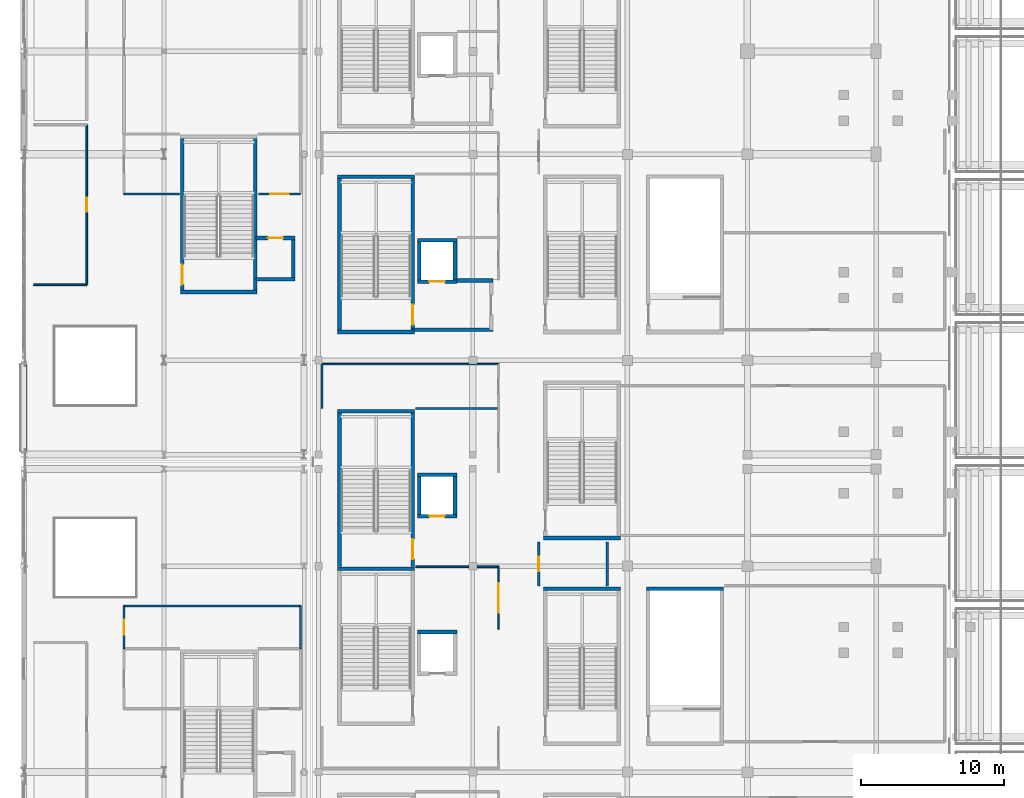
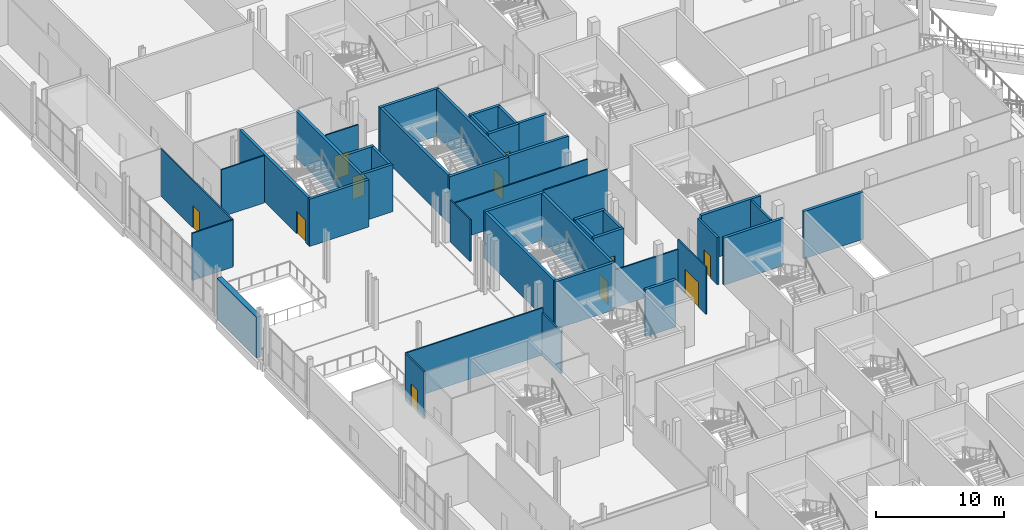
# One storey, part 74 of 129: 43 walls, 11 doors, 11 openings.
"""IFC4 building model written with IfcOpenShell, lengths in metres."""

from ifc_helpers import new_model, si_unit, direction, frame, frame_2d, origin, place, context, subcontext, project, spatial, rectangle, extrude, material, layer, layer_set, type_object, element, fill, save


model = new_model("IFC4")

# Units and contexts
model_context = context("Model", 3, precision=1e-05, world=origin(), true_north=direction((0.0, 1.0)))
body_context = subcontext(model_context, "Body", "Model", "MODEL_VIEW")
ifc_project = project(units=[si_unit("LENGTHUNIT", "METRE"), si_unit("AREAUNIT", "SQUARE_METRE"), si_unit("VOLUMEUNIT", "CUBIC_METRE"), si_unit("PLANEANGLEUNIT", "RADIAN"), si_unit("MASSUNIT", "GRAM", prefix="KILO")], contexts=[model_context])

# Site, building, storey
site_placement = place(None, origin())
site = spatial("IfcSite", under=ifc_project, at=site_placement, CompositionType="ELEMENT")
building_placement = place(site_placement, origin())
building = spatial("IfcBuilding", under=site, at=building_placement, Name="Koshinbarg Plaza Stadium", CompositionType="ELEMENT")
storey_placement = place(building_placement, frame((0.0, 0.0, 5.39990234375)))
storey = spatial("IfcBuildingStorey", under=building, at=storey_placement, Name="L01", CompositionType="ELEMENT", Elevation=5.39990234375)

# Walls
ifc_material_1 = material(Name="Concrete C40/50", Category="concrete")
ifc_layer_1 = layer(ifc_material_1, 0.25)
ifc_layer_set_1 = layer_set([ifc_layer_1], Name="Concrete C40/50")
wall_type_1 = type_object("IfcWallType", Name="WL-CORE-250", PredefinedType="SHEAR", material=ifc_layer_set_1)
for number, where, z_axis, x_axis, name in (
    (1, (31.320068359375, 68.52490234375, 0.0), (0.0, 0.0, 1.0), (-1.0, 0.0, 0.0), "L01 core stair shear wall C03-far IWL-L01-0062"),
    (2, (31.320068359375, 79.52490234375, 0.0), (0.0, 0.0, 1.0), (-1.0, 0.0, 0.0), "L01 core stair shear wall C04-far IWL-L01-0088"),
):
    element("IfcWall", number, at=place(storey_placement, frame(where, z_axis=z_axis, x_axis=x_axis)), inside=storey, type_object=wall_type_1, Name=name, PredefinedType="SHEAR", context=body_context, shape_type="SweptSolid", body=[
        extrude(rectangle(XDim=5.3701171875, YDim=0.25, at=frame_2d((2.68505859375, 0.0))), origin(), (0.0, 0.0, 1.0), 4.5),
    ])
wall_1_placement = place(storey_placement, frame((26.074951171875, 68.675048828125, 0.0), z_axis=(0.0, 0.0, 1.0), x_axis=(0.0, 1.0, 0.0)))
element("IfcWall", 3, at=wall_1_placement, inside=storey, type_object=wall_type_1, Name="L01 core stair shear wall C04-left IWL-L01-0089", PredefinedType="SHEAR", context=body_context, shape_type="SweptSolid", body=[
    extrude(rectangle(XDim=10.849853515625, YDim=0.25, at=frame_2d((5.4248046875, 0.0))), origin(), (0.0, 0.0, 1.0), 4.5),
])

# Wall, opening, door
wall_2_placement = place(storey_placement, frame((31.195068359375, 68.675048828125, 0.0), z_axis=(0.0, 0.0, 1.0), x_axis=(0.0, 1.0, 0.0)))
wall_2 = element("IfcWall", 4, at=wall_2_placement, inside=storey, type_object=wall_type_1, Name="L01 core stair shear wall C04-right IWL-L01-0090", PredefinedType="SHEAR", context=body_context, shape_type="SweptSolid", body=[
    extrude(rectangle(XDim=10.849853515625, YDim=0.25, at=frame_2d((5.4248046875, 0.0))), origin(), (0.0, 0.0, 1.0), 4.5),
])
opening_1_placement = place(wall_2_placement, frame((0.52001953125, 0.0, 0.0)))
opening_1 = element("IfcOpeningElement", 5, at=opening_1_placement, cuts=wall_2, Name="Opening D-0083", PredefinedType="OPENING", context=body_context, shape_type="SweptSolid", body=[
    extrude(rectangle(XDim=1.39990234375, YDim=2.14990234375, at=frame_2d((0.699951171875, 1.074951171875))), frame((0.0, 0.135009765625, 0.0), z_axis=(0.0, -1.0, 0.0), x_axis=(1.0, 0.0, 0.0)), (0.0, 0.0, 1.0), 0.27001953125),
])
ifc_material_2 = material(Name="Painted galvanized steel fire door", Category="steel")
door_type_1 = type_object("IfcDoorType", Name="DR-STAIR-1400", OperationType="NOTDEFINED", PredefinedType="DOOR", material=ifc_material_2)
door_1_placement = place(opening_1_placement, origin())
door_1 = element("IfcDoor", 6, at=door_1_placement, inside=storey, type_object=door_type_1, Name="L01 exit stair door C04", OperationType="SINGLE_SWING_RIGHT", OverallHeight=2.14990234375, OverallWidth=1.39990234375, PredefinedType="DOOR", context=body_context, shape_type="SweptSolid", body=[
    extrude(rectangle(XDim=1.39990234375, YDim=2.14990234375, at=frame_2d((0.699951171875, 1.074951171875))), frame((0.0, 0.02490234375, 0.0), z_axis=(0.0, -1.0, 0.0), x_axis=(1.0, 0.0, 0.0)), (0.0, 0.0, 1.0), 0.050048828125),
])
fill(opening_1, door_1)

# Walls
for number, where, z_axis, x_axis, name in (
    (7, (25.949951171875, 85.074951171875, 0.0), (0.0, 0.0, 1.0), (1.0, 0.0, 0.0), "L01 core stair shear wall C05-near IWL-L01-0110"),
    (8, (31.320068359375, 95.925048828125, 0.0), (0.0, 0.0, 1.0), (-1.0, 0.0, 0.0), "L01 core stair shear wall C05-far IWL-L01-0111"),
):
    element("IfcWall", number, at=place(storey_placement, frame(where, z_axis=z_axis, x_axis=x_axis)), inside=storey, type_object=wall_type_1, Name=name, PredefinedType="SHEAR", context=body_context, shape_type="SweptSolid", body=[
        extrude(rectangle(XDim=5.3701171875, YDim=0.25, at=frame_2d((2.68505859375, 0.0))), origin(), (0.0, 0.0, 1.0), 4.5),
    ])
wall_3_placement = place(storey_placement, frame((26.074951171875, 85.074951171875, 0.0), z_axis=(0.0, 0.0, 1.0), x_axis=(0.0, 1.0, 0.0)))
element("IfcWall", 9, at=wall_3_placement, inside=storey, type_object=wall_type_1, Name="L01 core stair shear wall C05-left IWL-L01-0112", PredefinedType="SHEAR", context=body_context, shape_type="SweptSolid", body=[
    extrude(rectangle(XDim=10.85009765625, YDim=0.25, at=frame_2d((5.425048828125, 0.0))), origin(), (0.0, 0.0, 1.0), 4.5),
])

# Wall, opening, door
wall_4_placement = place(storey_placement, frame((31.195068359375, 85.074951171875, 0.0), z_axis=(0.0, 0.0, 1.0), x_axis=(0.0, 1.0, 0.0)))
wall_4 = element("IfcWall", 10, at=wall_4_placement, inside=storey, type_object=wall_type_1, Name="L01 core stair shear wall C05-right IWL-L01-0113", PredefinedType="SHEAR", context=body_context, shape_type="SweptSolid", body=[
    extrude(rectangle(XDim=10.85009765625, YDim=0.25, at=frame_2d((5.425048828125, 0.0))), origin(), (0.0, 0.0, 1.0), 4.5),
])
opening_2_placement = place(wall_4_placement, frame((0.52001953125, 0.0, 0.0)))
opening_2 = element("IfcOpeningElement", 11, at=opening_2_placement, cuts=wall_4, Name="Opening D-0090", PredefinedType="OPENING", context=body_context, shape_type="SweptSolid", body=[
    extrude(rectangle(XDim=1.39990234375, YDim=2.14990234375, at=frame_2d((0.699951171875, 1.074951171875))), frame((0.0, 0.135009765625, 0.0), z_axis=(0.0, -1.0, 0.0), x_axis=(1.0, 0.0, 0.0)), (0.0, 0.0, 1.0), 0.27001953125),
])
door_2_placement = place(opening_2_placement, origin())
door_2 = element("IfcDoor", 12, at=door_2_placement, inside=storey, type_object=door_type_1, Name="L01 exit stair door C05", OperationType="SINGLE_SWING_RIGHT", OverallHeight=2.14990234375, OverallWidth=1.39990234375, PredefinedType="DOOR", context=body_context, shape_type="SweptSolid", body=[
    extrude(rectangle(XDim=1.39990234375, YDim=2.14990234375, at=frame_2d((0.699951171875, 1.074951171875))), frame((0.0, 0.02490234375, 0.0), z_axis=(0.0, -1.0, 0.0), x_axis=(1.0, 0.0, 0.0)), (0.0, 0.0, 1.0), 0.050048828125),
])
fill(opening_2, door_2)

# Wall
wall_5_placement = place(storey_placement, frame((14.949951171875, 87.875, 0.0), z_axis=(0.0, 0.0, 1.0), x_axis=(1.0, 0.0, 0.0)))
element("IfcWall", 13, at=wall_5_placement, inside=storey, type_object=wall_type_1, Name="L01 core stair shear wall C15-near IWL-L01-0334", PredefinedType="SHEAR", context=body_context, shape_type="SweptSolid", body=[
    extrude(rectangle(XDim=5.3701171875, YDim=0.25, at=frame_2d((2.68505859375, 0.0))), origin(), (0.0, 0.0, 1.0), 4.5),
])

# Wall, opening, door
wall_6_placement = place(storey_placement, frame((15.074951171875, 87.875, 0.0), z_axis=(0.0, 0.0, 1.0), x_axis=(0.0, 1.0, 0.0)))
wall_6 = element("IfcWall", 14, at=wall_6_placement, inside=storey, type_object=wall_type_1, Name="L01 core stair shear wall C15-left IWL-L01-0336", PredefinedType="SHEAR", context=body_context, shape_type="SweptSolid", body=[
    extrude(rectangle(XDim=10.85009765625, YDim=0.25, at=frame_2d((5.425048828125, 0.0))), origin(), (0.0, 0.0, 1.0), 4.5),
])
opening_3_placement = place(wall_6_placement, frame((0.52001953125, 0.0, 0.0)))
opening_3 = element("IfcOpeningElement", 15, at=opening_3_placement, cuts=wall_6, Name="Opening D-0146", PredefinedType="OPENING", context=body_context, shape_type="SweptSolid", body=[
    extrude(rectangle(XDim=1.39990234375, YDim=2.14990234375, at=frame_2d((0.699951171875, 1.074951171875))), frame((0.0, 0.135009765625, 0.0), z_axis=(0.0, -1.0, 0.0), x_axis=(1.0, 0.0, 0.0)), (0.0, 0.0, 1.0), 0.27001953125),
])
door_3_placement = place(opening_3_placement, frame((1.39990234375, 0.0, 0.0), z_axis=(0.0, 0.0, 1.0), x_axis=(-1.0, 0.0, 0.0)))
door_3 = element("IfcDoor", 16, at=door_3_placement, inside=storey, type_object=door_type_1, Name="L01 exit stair door C15", OperationType="SINGLE_SWING_RIGHT", OverallHeight=2.14990234375, OverallWidth=1.39990234375, PredefinedType="DOOR", context=body_context, shape_type="SweptSolid", body=[
    extrude(rectangle(XDim=1.39990234375, YDim=2.14990234375, at=frame_2d((0.699951171875, 1.074951171875))), frame((0.0, 0.02490234375, 0.0), z_axis=(0.0, -1.0, 0.0), x_axis=(1.0, 0.0, 0.0)), (0.0, 0.0, 1.0), 0.050048828125),
])
fill(opening_3, door_3)

# Walls
wall_7_placement = place(storey_placement, frame((20.195068359375, 87.875, 0.0), z_axis=(0.0, 0.0, 1.0), x_axis=(0.0, 1.0, 0.0)))
element("IfcWall", 17, at=wall_7_placement, inside=storey, type_object=wall_type_1, Name="L01 core stair shear wall C15-right IWL-L01-0337", PredefinedType="SHEAR", context=body_context, shape_type="SweptSolid", body=[
    extrude(rectangle(XDim=10.85009765625, YDim=0.25, at=frame_2d((5.425048828125, 0.0))), origin(), (0.0, 0.0, 1.0), 4.5),
])
for number, where, z_axis, x_axis, name in (
    (18, (45.719970703125, 67.125, 0.0), (0.0, 0.0, 1.0), (-1.0, 0.0, 0.0), "L01 vomitory stair shear wall VX03-far IWL-L01-0391"),
    (19, (40.35009765625, 70.675048828125, 0.0), (0.0, 0.0, 1.0), (1.0, 0.0, 0.0), "L01 vomitory stair shear wall VX04-near IWL-L01-0406"),
    (20, (52.919921875, 67.125, 0.0), (0.0, 0.0, 1.0), (-1.0, 0.0, 0.0), "L01 vomitory stair shear wall VL02-far IWL-L01-0559"),
):
    element("IfcWall", number, at=place(storey_placement, frame(where, z_axis=z_axis, x_axis=x_axis)), inside=storey, type_object=wall_type_1, Name=name, PredefinedType="SHEAR", context=body_context, shape_type="SweptSolid", body=[
        extrude(rectangle(XDim=5.369873046875, YDim=0.25, at=frame_2d((2.68505859375, 0.0))), origin(), (0.0, 0.0, 1.0), 4.5),
    ])
wall_8_placement = place(storey_placement, frame((34.27490234375, 64.10009765625, 0.0), z_axis=(0.0, 0.0, 1.0), x_axis=(-1.0, 0.0, 0.0)))
element("IfcWall", 21, at=wall_8_placement, inside=storey, type_object=wall_type_1, Name="L01 lift shaft shear wall LP01-N IWL-L01-0713", PredefinedType="SHEAR", context=body_context, shape_type="SweptSolid", body=[
    extrude(rectangle(XDim=2.75, YDim=0.25, at=frame_2d((1.375, 0.0))), origin(), (0.0, 0.0, 1.0), 4.5),
])

# Wall, opening, door
wall_9_placement = place(storey_placement, frame((31.52490234375, 72.199951171875, 0.0), z_axis=(0.0, 0.0, 1.0), x_axis=(1.0, 0.0, 0.0)))
wall_9 = element("IfcWall", 22, at=wall_9_placement, inside=storey, type_object=wall_type_1, Name="L01 lift shaft shear wall LP02-S IWL-L01-0740", PredefinedType="SHEAR", context=body_context, shape_type="SweptSolid", body=[
    extrude(rectangle(XDim=2.75, YDim=0.25, at=frame_2d((1.375, 0.0))), origin(), (0.0, 0.0, 1.0), 4.5),
])
opening_4_placement = place(wall_9_placement, frame((0.85009765625, 0.0, 0.0)))
opening_4 = element("IfcOpeningElement", 23, at=opening_4_placement, cuts=wall_9, Name="Opening D-0251", PredefinedType="OPENING", context=body_context, shape_type="SweptSolid", body=[
    extrude(rectangle(XDim=1.050048828125, YDim=2.14990234375, at=frame_2d((0.52490234375, 1.074951171875))), frame((0.0, 0.135009765625, 0.0), z_axis=(0.0, -1.0, 0.0), x_axis=(1.0, 0.0, 0.0)), (0.0, 0.0, 1.0), 0.27001953125),
])
ifc_material_3 = material(Name="Brushed stainless steel sliding lift landing door", Category="steel")
door_type_2 = type_object("IfcDoorType", Name="DR-LIFT-1050", OperationType="NOTDEFINED", PredefinedType="DOOR", material=ifc_material_3)
door_4_placement = place(opening_4_placement, origin())
door_4 = element("IfcDoor", 24, at=door_4_placement, inside=storey, type_object=door_type_2, Name="L01 lift landing door LP02", OperationType="SLIDING_TO_LEFT", OverallHeight=2.14990234375, OverallWidth=1.050048828125, PredefinedType="DOOR", context=body_context, shape_type="SweptSolid", body=[
    extrude(rectangle(XDim=1.050048828125, YDim=2.14990234375, at=frame_2d((0.52490234375, 1.074951171875))), frame((0.0, 0.02490234375, 0.0), z_axis=(0.0, -1.0, 0.0), x_axis=(1.0, 0.0, 0.0)), (0.0, 0.0, 1.0), 0.050048828125),
])
fill(opening_4, door_4)

# Walls
wall_10_placement = place(storey_placement, frame((34.27490234375, 75.10009765625, 0.0), z_axis=(0.0, 0.0, 1.0), x_axis=(-1.0, 0.0, 0.0)))
element("IfcWall", 25, at=wall_10_placement, inside=storey, type_object=wall_type_1, Name="L01 lift shaft shear wall LP02-N IWL-L01-0741", PredefinedType="SHEAR", context=body_context, shape_type="SweptSolid", body=[
    extrude(rectangle(XDim=2.75, YDim=0.25, at=frame_2d((1.375, 0.0))), origin(), (0.0, 0.0, 1.0), 4.5),
])
for number, where, z_axis, x_axis, name in (
    (26, (31.64990234375, 75.10009765625, 0.0), (0.0, 0.0, 1.0), (0.0, -1.0, 0.0), "L01 lift shaft shear wall LP02-W IWL-L01-0742"),
    (27, (34.14990234375, 72.199951171875, 0.0), (0.0, 0.0, 1.0), (0.0, 1.0, 0.0), "L01 lift shaft shear wall LP02-E IWL-L01-0743"),
):
    element("IfcWall", number, at=place(storey_placement, frame(where, z_axis=z_axis, x_axis=x_axis)), inside=storey, type_object=wall_type_1, Name=name, PredefinedType="SHEAR", context=body_context, shape_type="SweptSolid", body=[
        extrude(rectangle(XDim=2.900146484375, YDim=0.25, at=frame_2d((1.4501953125, 0.0))), origin(), (0.0, 0.0, 1.0), 4.5),
    ])

# Wall, opening, door
wall_11_placement = place(storey_placement, frame((31.52490234375, 88.60009765625, 0.0), z_axis=(0.0, 0.0, 1.0), x_axis=(1.0, 0.0, 0.0)))
wall_11 = element("IfcWall", 28, at=wall_11_placement, inside=storey, type_object=wall_type_1, Name="L01 lift shaft shear wall FL03-S IWL-L01-0771", PredefinedType="SHEAR", context=body_context, shape_type="SweptSolid", body=[
    extrude(rectangle(XDim=2.75, YDim=0.25, at=frame_2d((1.375, 0.0))), origin(), (0.0, 0.0, 1.0), 4.5),
])
opening_5_placement = place(wall_11_placement, frame((0.824951171875, 0.0, 0.0)))
opening_5 = element("IfcOpeningElement", 29, at=opening_5_placement, cuts=wall_11, Name="Opening D-0259", PredefinedType="OPENING", context=body_context, shape_type="SweptSolid", body=[
    extrude(rectangle(XDim=1.10009765625, YDim=2.14990234375, at=frame_2d((0.550048828125, 1.074951171875))), frame((0.0, 0.135009765625, 0.0), z_axis=(0.0, -1.0, 0.0), x_axis=(1.0, 0.0, 0.0)), (0.0, 0.0, 1.0), 0.27001953125),
])
door_type_3 = type_object("IfcDoorType", Name="DR-LIFT-1100", OperationType="NOTDEFINED", PredefinedType="DOOR", material=ifc_material_3)
door_5_placement = place(opening_5_placement, origin())
door_5 = element("IfcDoor", 30, at=door_5_placement, inside=storey, type_object=door_type_3, Name="L01 lift landing door FL03", OperationType="SLIDING_TO_RIGHT", OverallHeight=2.14990234375, OverallWidth=1.10009765625, PredefinedType="DOOR", context=body_context, shape_type="SweptSolid", body=[
    extrude(rectangle(XDim=1.10009765625, YDim=2.14990234375, at=frame_2d((0.550048828125, 1.074951171875))), frame((0.0, 0.02490234375, 0.0), z_axis=(0.0, -1.0, 0.0), x_axis=(1.0, 0.0, 0.0)), (0.0, 0.0, 1.0), 0.050048828125),
])
fill(opening_5, door_5)

# Walls
wall_12_placement = place(storey_placement, frame((34.27490234375, 91.5, 0.0), z_axis=(0.0, 0.0, 1.0), x_axis=(-1.0, 0.0, 0.0)))
element("IfcWall", 31, at=wall_12_placement, inside=storey, type_object=wall_type_1, Name="L01 lift shaft shear wall FL03-N IWL-L01-0772", PredefinedType="SHEAR", context=body_context, shape_type="SweptSolid", body=[
    extrude(rectangle(XDim=2.75, YDim=0.25, at=frame_2d((1.375, 0.0))), origin(), (0.0, 0.0, 1.0), 4.5),
])
for number, where, z_axis, x_axis, name in (
    (32, (31.64990234375, 91.5, 0.0), (0.0, 0.0, 1.0), (0.0, -1.0, 0.0), "L01 lift shaft shear wall FL03-W IWL-L01-0773"),
    (33, (34.14990234375, 88.60009765625, 0.0), (0.0, 0.0, 1.0), (0.0, 1.0, 0.0), "L01 lift shaft shear wall FL03-E IWL-L01-0774"),
):
    element("IfcWall", number, at=place(storey_placement, frame(where, z_axis=z_axis, x_axis=x_axis)), inside=storey, type_object=wall_type_1, Name=name, PredefinedType="SHEAR", context=body_context, shape_type="SweptSolid", body=[
        extrude(rectangle(XDim=2.89990234375, YDim=0.25, at=frame_2d((1.449951171875, 0.0))), origin(), (0.0, 0.0, 1.0), 4.5),
    ])
wall_13_placement = place(storey_placement, frame((34.27490234375, 88.675048828125, 0.0), z_axis=(0.0, 0.0, 1.0), x_axis=(1.0, 0.0, 0.0)))
element("IfcWall", 34, at=wall_13_placement, inside=storey, type_object=wall_type_1, Name="L01 firefighting lobby wall C05-NE IWL-L01-0776", PredefinedType="SHEAR", context=body_context, shape_type="SweptSolid", body=[
    extrude(rectangle(XDim=2.525146484375, YDim=0.25, at=frame_2d((1.2626953125, 0.0))), origin(), (0.0, 0.0, 1.0), 4.5),
])
wall_14_placement = place(storey_placement, frame((31.199951171875, 85.22509765625, 0.0), z_axis=(0.0, 0.0, 1.0), x_axis=(1.0, 0.0, 0.0)))
element("IfcWall", 35, at=wall_14_placement, inside=storey, type_object=wall_type_1, Name="L01 firefighting lobby wall C05-S IWL-L01-0777", PredefinedType="SHEAR", context=body_context, shape_type="SweptSolid", body=[
    extrude(rectangle(XDim=5.60009765625, YDim=0.25, at=frame_2d((2.800048828125, 0.0))), origin(), (0.0, 0.0, 1.0), 4.5),
])
wall_15_placement = place(storey_placement, frame((20.22509765625, 88.75, 0.0), z_axis=(0.0, 0.0, 1.0), x_axis=(1.0, 0.0, 0.0)))
element("IfcWall", 36, at=wall_15_placement, inside=storey, type_object=wall_type_1, Name="L01 lift shaft shear wall LP11-S IWL-L01-1033", PredefinedType="SHEAR", context=body_context, shape_type="SweptSolid", body=[
    extrude(rectangle(XDim=2.75, YDim=0.25, at=frame_2d((1.375, 0.0))), origin(), (0.0, 0.0, 1.0), 4.5),
])

# Wall, opening, door
wall_16_placement = place(storey_placement, frame((22.97509765625, 91.64990234375, 0.0), z_axis=(0.0, 0.0, 1.0), x_axis=(-1.0, 0.0, 0.0)))
wall_16 = element("IfcWall", 37, at=wall_16_placement, inside=storey, type_object=wall_type_1, Name="L01 lift shaft shear wall LP11-N IWL-L01-1034", PredefinedType="SHEAR", context=body_context, shape_type="SweptSolid", body=[
    extrude(rectangle(XDim=2.75, YDim=0.25, at=frame_2d((1.375, 0.0))), origin(), (0.0, 0.0, 1.0), 4.5),
])
opening_6_placement = place(wall_16_placement, frame((0.85009765625, 0.0, 0.0)))
opening_6 = element("IfcOpeningElement", 38, at=opening_6_placement, cuts=wall_16, Name="Opening D-0328", PredefinedType="OPENING", context=body_context, shape_type="SweptSolid", body=[
    extrude(rectangle(XDim=1.050048828125, YDim=2.14990234375, at=frame_2d((0.52490234375, 1.074951171875))), frame((0.0, 0.135009765625, 0.0), z_axis=(0.0, -1.0, 0.0), x_axis=(1.0, 0.0, 0.0)), (0.0, 0.0, 1.0), 0.27001953125),
])
door_6_placement = place(opening_6_placement, origin())
door_6 = element("IfcDoor", 39, at=door_6_placement, inside=storey, type_object=door_type_2, Name="L01 lift landing door LP11", OperationType="SLIDING_TO_RIGHT", OverallHeight=2.14990234375, OverallWidth=1.050048828125, PredefinedType="DOOR", context=body_context, shape_type="SweptSolid", body=[
    extrude(rectangle(XDim=1.050048828125, YDim=2.14990234375, at=frame_2d((0.52490234375, 1.074951171875))), frame((0.0, 0.02490234375, 0.0), z_axis=(0.0, -1.0, 0.0), x_axis=(1.0, 0.0, 0.0)), (0.0, 0.0, 1.0), 0.050048828125),
])
fill(opening_6, door_6)

# Wall
wall_17_placement = place(storey_placement, frame((22.85009765625, 88.75, 0.0), z_axis=(0.0, 0.0, 1.0), x_axis=(0.0, 1.0, 0.0)))
element("IfcWall", 40, at=wall_17_placement, inside=storey, type_object=wall_type_1, Name="L01 lift shaft shear wall LP11-E IWL-L01-1035", PredefinedType="SHEAR", context=body_context, shape_type="SweptSolid", body=[
    extrude(rectangle(XDim=2.89990234375, YDim=0.25, at=frame_2d((1.449951171875, 0.0))), origin(), (0.0, 0.0, 1.0), 4.5),
])

# Wall, opening, door
ifc_material_4 = material(Name="Gypsum board metal-stud acoustic partition")
ifc_layer_2 = layer(ifc_material_4, 0.1201171875)
ifc_layer_set_2 = layer_set([ifc_layer_2], Name="Gypsum board metal-stud acoustic partition")
wall_type_2 = type_object("IfcWallType", Name="WL-PART-120", PredefinedType="PARTITIONING", material=ifc_layer_set_2)
wall_18_placement = place(storey_placement, frame((37.199951171875, 64.280029296875, 0.0), z_axis=(0.0, 0.0, 1.0), x_axis=(0.0, 1.0, 0.0)))
wall_18 = element("IfcWall", 41, at=wall_18_placement, inside=storey, type_object=wall_type_2, Name="L01 interior partition L01-83-east IWL-L01-1361", PredefinedType="PARTITIONING", context=body_context, shape_type="SweptSolid", body=[
    extrude(rectangle(XDim=4.389892578125, YDim=0.1201171875, at=frame_2d((2.19482421875, 0.0))), origin(), (0.0, 0.0, 1.0), 4.5),
])
opening_7_placement = place(wall_18_placement, frame((1.155029296875, 0.0, 0.0)))
opening_7 = element("IfcOpeningElement", 42, at=opening_7_placement, cuts=wall_18, Name="Opening D-0449", PredefinedType="OPENING", context=body_context, shape_type="SweptSolid", body=[
    extrude(rectangle(XDim=2.080078125, YDim=2.35009765625, at=frame_2d((1.0400390625, 1.175048828125))), frame((0.0, 0.070068359375, 0.0), z_axis=(0.0, -1.0, 0.0), x_axis=(1.0, 0.0, 0.0)), (0.0, 0.0, 1.0), 0.14013671875),
])
ifc_material_5 = material(Name="Laminated safety glass aluminium vestibule door", Category="aluminium")
door_type_4 = type_object("IfcDoorType", Name="DR-INT-2080x2350", OperationType="NOTDEFINED", PredefinedType="DOOR", material=ifc_material_5)
door_7_placement = place(opening_7_placement, origin())
door_7 = element("IfcDoor", 43, at=door_7_placement, inside=storey, type_object=door_type_4, Name="L01 First Aid Station door D-0449", OperationType="DOUBLE_DOOR_SINGLE_SWING", OverallHeight=2.35009765625, OverallWidth=2.080078125, PredefinedType="DOOR", context=body_context, shape_type="SweptSolid", body=[
    extrude(rectangle(XDim=2.080078125, YDim=2.35009765625, at=frame_2d((1.0400390625, 1.175048828125))), frame((0.0, 0.02490234375, 0.0), z_axis=(0.0, -1.0, 0.0), x_axis=(1.0, 0.0, 0.0)), (0.0, 0.0, 1.0), 0.050048828125),
])
fill(opening_7, door_7)

# Walls
wall_19_placement = place(storey_placement, frame((37.199951171875, 68.669921875, 0.0), z_axis=(0.0, 0.0, 1.0), x_axis=(-1.0, 0.0, 0.0)))
element("IfcWall", 44, at=wall_19_placement, inside=storey, type_object=wall_type_2, Name="L01 interior partition L01-83-north IWL-L01-1362", PredefinedType="PARTITIONING", context=body_context, shape_type="SweptSolid", body=[
    extrude(rectangle(XDim=5.800048828125, YDim=0.1201171875, at=frame_2d((2.89990234375, 0.0))), origin(), (0.0, 0.0, 1.0), 3.580078125),
])
wall_20_placement = place(storey_placement, frame((37.199951171875, 82.830078125, 0.0), z_axis=(0.0, 0.0, 1.0), x_axis=(-1.0, 0.0, 0.0)))
element("IfcWall", 45, at=wall_20_placement, inside=storey, type_object=wall_type_2, Name="L01 interior partition L01-84-north IWL-L01-1364", PredefinedType="PARTITIONING", context=body_context, shape_type="SweptSolid", body=[
    extrude(rectangle(XDim=12.35498046875, YDim=0.1201171875, at=frame_2d((6.177490234375, 0.0))), origin(), (0.0, 0.0, 1.0), 3.580078125),
])
wall_21_placement = place(storey_placement, frame((24.844970703125, 82.830078125, 0.0), z_axis=(0.0, 0.0, 1.0), x_axis=(0.0, -1.0, 0.0)))
element("IfcWall", 46, at=wall_21_placement, inside=storey, type_object=wall_type_2, Name="L01 interior partition L01-84-west IWL-L01-1365", PredefinedType="PARTITIONING", context=body_context, shape_type="SweptSolid", body=[
    extrude(rectangle(XDim=3.10009765625, YDim=0.1201171875, at=frame_2d((1.550048828125, 0.0))), origin(), (0.0, 0.0, 1.0), 3.97998046875),
])
wall_22_placement = place(storey_placement, frame((37.199951171875, 79.72998046875, 0.0), z_axis=(0.0, 0.0, 1.0), x_axis=(-1.0, 0.0, 0.0)))
element("IfcWall", 47, at=wall_22_placement, inside=storey, type_object=wall_type_2, Name="L01 interior partition L01-85-north IWL-L01-1367", PredefinedType="PARTITIONING", context=body_context, shape_type="SweptSolid", body=[
    extrude(rectangle(XDim=5.800048828125, YDim=0.1201171875, at=frame_2d((2.89990234375, 0.0))), origin(), (0.0, 0.0, 1.0), 4.5),
])
wall_23_placement = place(storey_placement, frame((4.699951171875, 88.3798828125, 0.0), z_axis=(0.0, 0.0, 1.0), x_axis=(1.0, 0.0, 0.0)))
element("IfcWall", 48, at=wall_23_placement, inside=storey, type_object=wall_type_2, Name="L01 interior partition L01-157-south IWL-L01-1561", PredefinedType="PARTITIONING", context=body_context, shape_type="SweptSolid", body=[
    extrude(rectangle(XDim=3.699951171875, YDim=0.1201171875, at=frame_2d((1.85009765625, 0.0))), origin(), (0.0, 0.0, 1.0), 4.5),
])

# Wall, opening, door
wall_24_placement = place(storey_placement, frame((8.39990234375, 88.3798828125, 0.0), z_axis=(0.0, 0.0, 1.0), x_axis=(0.0, 1.0, 0.0)))
wall_24 = element("IfcWall", 49, at=wall_24_placement, inside=storey, type_object=wall_type_2, Name="L01 interior partition L01-157-east IWL-L01-1562", PredefinedType="PARTITIONING", context=body_context, shape_type="SweptSolid", body=[
    extrude(rectangle(XDim=11.18505859375, YDim=0.1201171875, at=frame_2d((5.592529296875, 0.0))), origin(), (0.0, 0.0, 1.0), 4.5),
])
opening_8_placement = place(wall_24_placement, frame((5.092529296875, 0.0, 0.0)))
opening_8 = element("IfcOpeningElement", 50, at=opening_8_placement, cuts=wall_24, Name="Opening D-0523", PredefinedType="OPENING", context=body_context, shape_type="SweptSolid", body=[
    extrude(rectangle(XDim=1.0, YDim=2.10009765625, at=frame_2d((0.5, 1.050048828125))), frame((0.0, 0.070068359375, 0.0), z_axis=(0.0, -1.0, 0.0), x_axis=(1.0, 0.0, 0.0)), (0.0, 0.0, 1.0), 0.14013671875),
])
ifc_material_6 = material(Name="Solid-core laminate accessible WC door")
door_type_5 = type_object("IfcDoorType", Name="DR-INT-1000x2100", OperationType="NOTDEFINED", PredefinedType="DOOR", material=ifc_material_6)
door_8_placement = place(opening_8_placement, origin())
door_8 = element("IfcDoor", 51, at=door_8_placement, inside=storey, type_object=door_type_5, Name="L01 Supporters' Cafe Hall door D-0523", OperationType="SINGLE_SWING_LEFT", OverallHeight=2.10009765625, OverallWidth=1.0, PredefinedType="DOOR", context=body_context, shape_type="SweptSolid", body=[
    extrude(rectangle(XDim=1.0, YDim=2.10009765625, at=frame_2d((0.5, 1.050048828125))), frame((0.0, 0.02490234375, 0.0), z_axis=(0.0, -1.0, 0.0), x_axis=(1.0, 0.0, 0.0)), (0.0, 0.0, 1.0), 0.050048828125),
])
fill(opening_8, door_8)

# Wall
wall_25_placement = place(storey_placement, frame((11.0, 94.72998046875, 0.0), z_axis=(0.0, 0.0, 1.0), x_axis=(1.0, 0.0, 0.0)))
element("IfcWall", 52, at=wall_25_placement, inside=storey, type_object=wall_type_2, Name="L01 interior partition L01-160-south IWL-L01-1569", PredefinedType="PARTITIONING", context=body_context, shape_type="SweptSolid", body=[
    extrude(rectangle(XDim=3.8701171875, YDim=0.1201171875, at=frame_2d((1.93505859375, 0.0))), origin(), (0.0, 0.0, 1.0), 4.5),
])

# Wall, opening, door
wall_26_placement = place(storey_placement, frame((20.39990234375, 94.72998046875, 0.0), z_axis=(0.0, 0.0, 1.0), x_axis=(1.0, 0.0, 0.0)))
wall_26 = element("IfcWall", 53, at=wall_26_placement, inside=storey, type_object=wall_type_2, Name="L01 interior partition L01-161-south IWL-L01-1572", PredefinedType="PARTITIONING", context=body_context, shape_type="SweptSolid", body=[
    extrude(rectangle(XDim=2.955078125, YDim=0.1201171875, at=frame_2d((1.4775390625, 0.0))), origin(), (0.0, 0.0, 1.0), 4.5),
])
opening_9_placement = place(wall_26_placement, frame((0.827392578125, 0.0, 0.0)))
opening_9 = element("IfcOpeningElement", 54, at=opening_9_placement, cuts=wall_26, Name="Opening D-0527", PredefinedType="OPENING", context=body_context, shape_type="SweptSolid", body=[
    extrude(rectangle(XDim=1.300048828125, YDim=2.199951171875, at=frame_2d((0.64990234375, 1.10009765625))), frame((0.0, 0.070068359375, 0.0), z_axis=(0.0, -1.0, 0.0), x_axis=(1.0, 0.0, 0.0)), (0.0, 0.0, 1.0), 0.14013671875),
])
ifc_material_7 = material(Name="Thermally broken anodised aluminium glazed door", Category="aluminium")
door_type_6 = type_object("IfcDoorType", Name="DR-INT-1300x2200", OperationType="NOTDEFINED", PredefinedType="DOOR", material=ifc_material_7)
door_9_placement = place(opening_9_placement, origin())
door_9 = element("IfcDoor", 55, at=door_9_placement, inside=storey, type_object=door_type_6, Name="L01 Supporters' Cafe Hall door D-0527", OperationType="SINGLE_SWING_LEFT", OverallHeight=2.199951171875, OverallWidth=1.300048828125, PredefinedType="DOOR", context=body_context, shape_type="SweptSolid", body=[
    extrude(rectangle(XDim=1.300048828125, YDim=2.199951171875, at=frame_2d((0.64990234375, 1.10009765625))), frame((0.0, 0.02490234375, 0.0), z_axis=(0.0, -1.0, 0.0), x_axis=(1.0, 0.0, 0.0)), (0.0, 0.0, 1.0), 0.050048828125),
])
fill(opening_9, door_9)

# Walls
wall_27_placement = place(storey_placement, frame((23.35498046875, 62.929931640625, 0.0), z_axis=(0.0, 0.0, 1.0), x_axis=(0.0, 1.0, 0.0)))
element("IfcWall", 56, at=wall_27_placement, inside=storey, type_object=wall_type_2, Name="L01 interior partition L01-175-east IWL-L01-1611", PredefinedType="PARTITIONING", context=body_context, shape_type="SweptSolid", body=[
    extrude(rectangle(XDim=2.989990234375, YDim=0.1201171875, at=frame_2d((1.4951171875, 0.0))), origin(), (0.0, 0.0, 1.0), 4.030029296875),
])
wall_28_placement = place(storey_placement, frame((23.35498046875, 65.919921875, 0.0), z_axis=(0.0, 0.0, 1.0), x_axis=(-1.0, 0.0, 0.0)))
element("IfcWall", 57, at=wall_28_placement, inside=storey, type_object=wall_type_2, Name="L01 interior partition L01-175-north IWL-L01-1612", PredefinedType="PARTITIONING", context=body_context, shape_type="SweptSolid", body=[
    extrude(rectangle(XDim=12.35498046875, YDim=0.1201171875, at=frame_2d((6.177490234375, 0.0))), origin(), (0.0, 0.0, 1.0), 4.5),
])

# Wall, opening, door
wall_29_placement = place(storey_placement, frame((11.0, 65.919921875, 0.0), z_axis=(0.0, 0.0, 1.0), x_axis=(0.0, -1.0, 0.0)))
wall_29 = element("IfcWall", 58, at=wall_29_placement, inside=storey, type_object=wall_type_2, Name="L01 interior partition L01-175-west IWL-L01-1613", PredefinedType="PARTITIONING", context=body_context, shape_type="SweptSolid", body=[
    extrude(rectangle(XDim=2.989990234375, YDim=0.1201171875, at=frame_2d((1.4951171875, 0.0))), origin(), (0.0, 0.0, 1.0), 4.5),
])
opening_10_placement = place(wall_29_placement, frame((0.969970703125, 0.0, 0.0)))
opening_10 = element("IfcOpeningElement", 59, at=opening_10_placement, cuts=wall_29, Name="Opening D-0541", PredefinedType="OPENING", context=body_context, shape_type="SweptSolid", body=[
    extrude(rectangle(XDim=1.050048828125, YDim=2.14990234375, at=frame_2d((0.52490234375, 1.074951171875))), frame((0.0, 0.070068359375, 0.0), z_axis=(0.0, -1.0, 0.0), x_axis=(1.0, 0.0, 0.0)), (0.0, 0.0, 1.0), 0.14013671875),
])
ifc_material_8 = material(Name="Solid-core oak suite entrance door")
door_type_7 = type_object("IfcDoorType", Name="DR-INT-1050x2150", OperationType="NOTDEFINED", PredefinedType="DOOR", material=ifc_material_8)
door_10_placement = place(opening_10_placement, origin())
door_10 = element("IfcDoor", 60, at=door_10_placement, inside=storey, type_object=door_type_7, Name="L01 Press Briefing Salon door D-0541", OperationType="SINGLE_SWING_LEFT", OverallHeight=2.14990234375, OverallWidth=1.050048828125, PredefinedType="DOOR", context=body_context, shape_type="SweptSolid", body=[
    extrude(rectangle(XDim=1.050048828125, YDim=2.14990234375, at=frame_2d((0.52490234375, 1.074951171875))), frame((0.0, 0.02490234375, 0.0), z_axis=(0.0, -1.0, 0.0), x_axis=(1.0, 0.0, 0.0)), (0.0, 0.0, 1.0), 0.050048828125),
])
fill(opening_10, door_10)

# Wall
ifc_material_9 = material(Name="Moisture-resistant tiled sanitary partition")
ifc_layer_3 = layer(ifc_material_9, 0.179931640625)
ifc_layer_set_3 = layer_set([ifc_layer_3], Name="Moisture-resistant tiled sanitary partition")
wall_type_3 = type_object("IfcWallType", Name="WL-PART-180", PredefinedType="PARTITIONING", material=ifc_layer_set_3)
wall_30_placement = place(storey_placement, frame((44.800048828125, 67.330078125, 0.0), z_axis=(0.0, 0.0, 1.0), x_axis=(0.0, 1.0, 0.0)))
element("IfcWall", 61, at=wall_30_placement, inside=storey, type_object=wall_type_3, Name="L01 interior partition L01-72-east IWL-L01-1341", PredefinedType="PARTITIONING", context=body_context, shape_type="SweptSolid", body=[
    extrude(rectangle(XDim=3.06982421875, YDim=0.179931640625, at=frame_2d((1.534912109375, 0.0))), origin(), (0.0, 0.0, 1.0), 4.5),
])

# Wall, opening, door
wall_31_placement = place(storey_placement, frame((40.0, 70.39990234375, 0.0), z_axis=(0.0, 0.0, 1.0), x_axis=(0.0, -1.0, 0.0)))
wall_31 = element("IfcWall", 62, at=wall_31_placement, inside=storey, type_object=wall_type_3, Name="L01 interior partition L01-72-west IWL-L01-1342", PredefinedType="PARTITIONING", context=body_context, shape_type="SweptSolid", body=[
    extrude(rectangle(XDim=3.06982421875, YDim=0.179931640625, at=frame_2d((1.534912109375, 0.0))), origin(), (0.0, 0.0, 1.0), 4.5),
])
opening_11_placement = place(wall_31_placement, frame((1.034912109375, 0.0, 0.0)))
opening_11 = element("IfcOpeningElement", 63, at=opening_11_placement, cuts=wall_31, Name="Opening D-0440", PredefinedType="OPENING", context=body_context, shape_type="SweptSolid", body=[
    extrude(rectangle(XDim=1.0, YDim=2.10009765625, at=frame_2d((0.5, 1.050048828125))), frame((0.0, 0.099853515625, 0.0), z_axis=(0.0, -1.0, 0.0), x_axis=(1.0, 0.0, 0.0)), (0.0, 0.0, 1.0), 0.199951171875),
])
door_11_placement = place(opening_11_placement, origin())
door_11 = element("IfcDoor", 64, at=door_11_placement, inside=storey, type_object=door_type_5, Name="L01 Accessible WC 1 door D-0440", OperationType="SINGLE_SWING_RIGHT", OverallHeight=2.10009765625, OverallWidth=1.0, PredefinedType="DOOR", context=body_context, shape_type="SweptSolid", body=[
    extrude(rectangle(XDim=1.0, YDim=2.10009765625, at=frame_2d((0.5, 1.050048828125))), frame((0.0, 0.02490234375, 0.0), z_axis=(0.0, -1.0, 0.0), x_axis=(1.0, 0.0, 0.0)), (0.0, 0.0, 1.0), 0.050048828125),
])
fill(opening_11, door_11)

# Wall
ifc_layer_4 = layer(ifc_material_1, 0.449951171875)
ifc_layer_set_4 = layer_set([ifc_layer_4], Name="Concrete C40/50")
wall_type_4 = type_object("IfcWallType", Name="WL-PYLON-450", PredefinedType="SHEAR", material=ifc_layer_set_4)
wall_32_placement = place(storey_placement, frame((4.0, 76.68505859375, 0.0), z_axis=(0.0, 0.0, 1.0), x_axis=(0.0, 1.0, 0.0)))
element("IfcWall", 65, at=wall_32_placement, inside=storey, type_object=wall_type_4, Name="L01 exterior shear pylon wall EWL-L01-0076", PredefinedType="SHEAR", context=body_context, shape_type="SweptSolid", body=[
    extrude(rectangle(XDim=6.169921875, YDim=0.449951171875, at=frame_2d((3.0849609375, 0.0))), origin(), (0.0, 0.0, 1.0), 3.880126953125),
])

save(model, "model.ifc")
